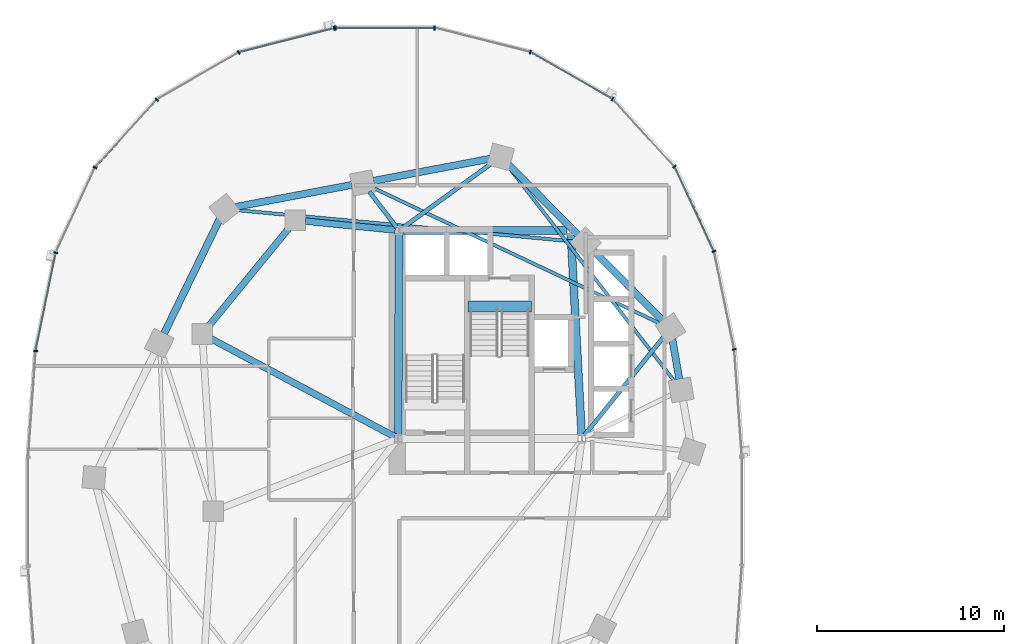
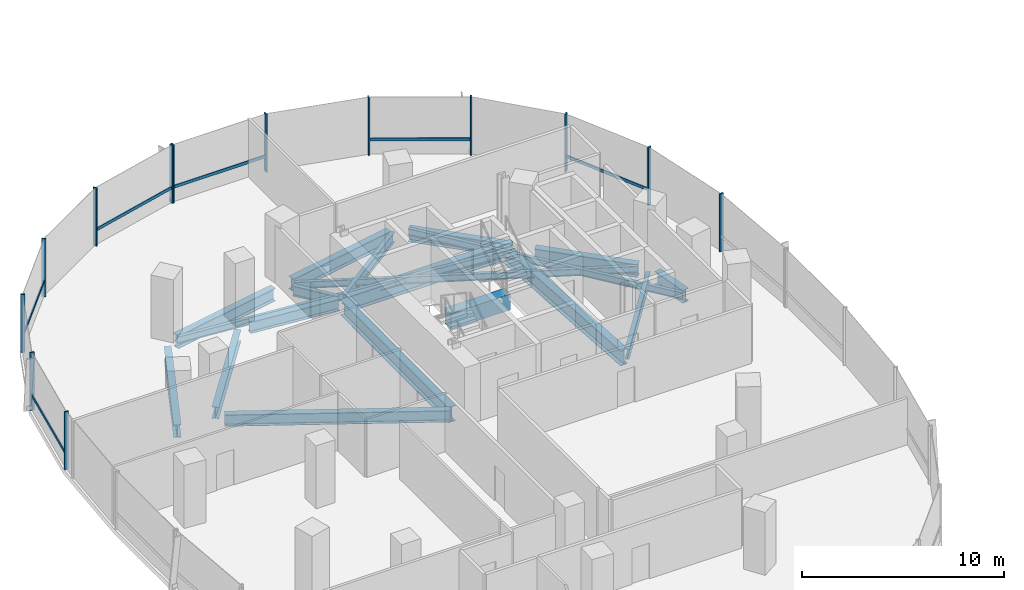
# One storey, part 4 of 21: 19 beams, 19 members, 2 elements without a shape of their own.
"""IFC4 building model written with IfcOpenShell, lengths in metres."""

from ifc_helpers import new_model, si_unit, direction, frame, origin, origin_2d, place, context, subcontext, project, spatial, rectangle, i_section, extrude, material, material_profile, profile_set, type_object, element, aggregate, save


model = new_model("IFC4")

# Units and contexts
model_context = context("Model", 3, precision=1e-05, world=origin(), true_north=direction((0.0, 1.0)))
body_context = subcontext(model_context, "Body", "Model", "MODEL_VIEW")
ifc_project = project(units=[si_unit("LENGTHUNIT", "METRE"), si_unit("AREAUNIT", "SQUARE_METRE"), si_unit("VOLUMEUNIT", "CUBIC_METRE"), si_unit("PLANEANGLEUNIT", "RADIAN"), si_unit("MASSUNIT", "GRAM", prefix="KILO"), si_unit("THERMODYNAMICTEMPERATUREUNIT", "KELVIN"), si_unit("POWERUNIT", "WATT")], contexts=[model_context])

# Site, building, storey
site_placement = place(None, origin())
site = spatial("IfcSite", under=ifc_project, at=site_placement, CompositionType="ELEMENT")
building_placement = place(site_placement, origin())
building = spatial("IfcBuilding", under=site, at=building_placement, Name="Cundina Bronze Exchange", CompositionType="ELEMENT")
storey_placement = place(building_placement, frame((0.0, 0.0, 54.39990234375)))
storey = spatial("IfcBuildingStorey", under=building, at=storey_placement, Name="L13", CompositionType="ELEMENT", Elevation=54.39990234375)

# Beams
ifc_material_1 = material(Name="Concrete C60/75", Category="concrete")
ifc_material_profile_1 = material_profile(ifc_material_1, rectangle(XDim=0.60009765625, YDim=0.949951171875, at=origin_2d()), Name="RC600X950", Category="concrete")
ifc_profile_set_1 = profile_set([ifc_material_profile_1], Name="Concrete C60/75")
beam_type_1 = type_object("IfcBeamType", Name="BM-COUP-RC950", PredefinedType="LINTEL", material=ifc_profile_set_1)
beam_1_placement = place(storey_placement, frame((-27.56005859375, 10.97998046875, -0.474853515625), z_axis=(1.0, 0.0, 0.0), x_axis=(0.0, 1.0, 0.0)))
element("IfcBeam", 1, at=beam_1_placement, inside=storey, type_object=beam_type_1, Name="L13 Stair W2 Landing Header Beam", PredefinedType="LINTEL", context=body_context, shape_type="SweptSolid", body=[
    extrude(rectangle(XDim=0.60009765625, YDim=0.949951171875, at=origin_2d()), origin(), (0.0, 0.0, 1.0), 3.400146484375),
])
ifc_material_2 = material(Name="Steel ASTM A992 Grade 50", Category="steel")
ifc_material_profile_2 = material_profile(ifc_material_2, i_section(OverallWidth=0.22998046875, OverallDepth=0.616943359375, WebThickness=0.01318359375, FlangeThickness=0.022216796875, FilletRadius=0.013916015625, at=origin_2d()), Name="W24X94", Category="steel")
ifc_profile_set_2 = profile_set([ifc_material_profile_2], Name="Steel ASTM A992 Grade 50")
beam_type_2 = type_object("IfcBeamType", Name="BM-FLR-W24B", PredefinedType="BEAM", material=ifc_profile_set_2)
beam_2_placement = place(storey_placement, frame((-21.322021484375, 4.058837890625, -0.6083984375), z_axis=(0.627106366175, 0.778933633568, 0.0), x_axis=(-0.778933633568, 0.627106366175, 0.0)))
element("IfcBeam", 2, at=beam_2_placement, inside=storey, type_object=beam_type_2, Name="L13 Leg W Radial Floor Beam 02", PredefinedType="BEAM", context=body_context, shape_type="SweptSolid", body=[
    extrude(i_section(OverallWidth=0.22998046875, OverallDepth=0.616943359375, WebThickness=0.01318359375, FlangeThickness=0.022216796875, FilletRadius=0.013916015625, at=origin_2d()), origin(), (0.0, 0.0, 1.0), 6.78271484375),
])
beam_3_placement = place(storey_placement, frame((-31.084716796875, 15.169677734375, -0.6083984375), z_axis=(0.809700299677, 0.586843611794, 0.0), x_axis=(-0.586843611794, 0.809700299677, 0.0)))
element("IfcBeam", 3, at=beam_3_placement, inside=storey, type_object=beam_type_2, Name="L13 Leg W Radial Floor Beam 04", PredefinedType="BEAM", context=body_context, shape_type="SweptSolid", body=[
    extrude(i_section(OverallWidth=0.22998046875, OverallDepth=0.616943359375, WebThickness=0.01318359375, FlangeThickness=0.022216796875, FilletRadius=0.013916015625, at=origin_2d()), origin(), (0.0, 0.0, 1.0), 5.938720703125),
])
beam_4_placement = place(storey_placement, frame((-31.373779296875, 15.2119140625, -0.6083984375), z_axis=(-0.607468844289, 0.794343504548, 0.0), x_axis=(-0.794343504548, -0.607468844289, 0.0)))
element("IfcBeam", 4, at=beam_4_placement, inside=storey, type_object=beam_type_2, Name="L13 Leg W Radial Floor Beam 05", PredefinedType="BEAM", context=body_context, shape_type="SweptSolid", body=[
    extrude(i_section(OverallWidth=0.22998046875, OverallDepth=0.616943359375, WebThickness=0.01318359375, FlangeThickness=0.022216796875, FilletRadius=0.013916015625, at=origin_2d()), origin(), (0.0, 0.0, 1.0), 2.418212890625),
])
ifc_material_profile_3 = material_profile(ifc_material_2, i_section(OverallWidth=0.178955078125, OverallDepth=0.409912109375, WebThickness=0.0087890625, FlangeThickness=0.014404296875, FilletRadius=0.010986328125, at=origin_2d()), Name="W16X45", Category="steel")
ifc_profile_set_3 = profile_set([ifc_material_profile_3], Name="Steel ASTM A992 Grade 50")
beam_type_3 = type_object("IfcBeamType", Name="BM-JST-W16", PredefinedType="JOIST", material=ifc_profile_set_3)
beam_5_placement = place(storey_placement, frame((-16.48486328125, 6.965087890625, -0.5048828125), z_axis=(-0.612089386305, 0.790788583108, 0.0), x_axis=(-0.790788583108, -0.612089386305, 0.0)))
element("IfcBeam", 5, at=beam_5_placement, inside=storey, type_object=beam_type_3, Name="L13 Leg W Lobe Floor Joist 01-04", PredefinedType="JOIST", context=body_context, shape_type="SweptSolid", body=[
    extrude(i_section(OverallWidth=0.178955078125, OverallDepth=0.409912109375, WebThickness=0.0087890625, FlangeThickness=0.014404296875, FilletRadius=0.010986328125, at=origin_2d()), origin(), (0.0, 0.0, 1.0), 14.630859375),
])
beam_6_placement = place(storey_placement, frame((-17.231689453125, 10.05126953125, -0.5048828125), z_axis=(-0.904072668297, 0.427378766949, 0.0), x_axis=(-0.427378766949, -0.904072668297, 0.0)))
element("IfcBeam", 6, at=beam_6_placement, inside=storey, type_object=beam_type_3, Name="L13 Leg W Lobe Floor Joist 02-05", PredefinedType="JOIST", context=body_context, shape_type="SweptSolid", body=[
    extrude(i_section(OverallWidth=0.178955078125, OverallDepth=0.409912109375, WebThickness=0.0087890625, FlangeThickness=0.014404296875, FilletRadius=0.010986328125, at=origin_2d()), origin(), (0.0, 0.0, 1.0), 17.07470703125),
])
beam_7_placement = place(storey_placement, frame((-21.83544921875, 14.45458984375, -0.5048828125), z_axis=(-0.995701961644, 0.09261535282, 0.0), x_axis=(-0.09261535282, -0.995701961644, 0.0)))
element("IfcBeam", 7, at=beam_7_placement, inside=storey, type_object=beam_type_3, Name="L13 Leg W Lobe Floor Joist 03-06", PredefinedType="JOIST", context=body_context, shape_type="SweptSolid", body=[
    extrude(i_section(OverallWidth=0.178955078125, OverallDepth=0.409912109375, WebThickness=0.0087890625, FlangeThickness=0.014404296875, FilletRadius=0.010986328125, at=origin_2d()), origin(), (0.0, 0.0, 1.0), 18.25732421875),
])
ifc_material_profile_4 = material_profile(ifc_material_2, i_section(OverallWidth=0.35498046875, OverallDepth=0.695068359375, WebThickness=0.015380859375, FlangeThickness=0.02490234375, FilletRadius=0.01806640625, at=origin_2d()), Name="W27X146", Category="steel")
ifc_profile_set_4 = profile_set([ifc_material_profile_4], Name="Steel ASTM A992 Grade 50")
beam_type_4 = type_object("IfcBeamType", Name="BM-RING-W27", PredefinedType="USERDEFINED", material=ifc_profile_set_4)
beam_8_placement = place(storey_placement, frame((-31.452880859375, 15.070068359375, -0.6474609375), z_axis=(-0.995126271817, 0.098608839051, 0.0), x_axis=(-0.098608839051, -0.995126271817, 0.0)))
element("IfcBeam", 8, at=beam_8_placement, inside=storey, type_object=beam_type_4, Name="L13 W Inner Structural Ring Girder 01", ObjectType="GIRDER", PredefinedType="USERDEFINED", context=body_context, shape_type="SweptSolid", body=[
    extrude(i_section(OverallWidth=0.35498046875, OverallDepth=0.695068359375, WebThickness=0.015380859375, FlangeThickness=0.02490234375, FilletRadius=0.01806640625, at=origin_2d()), origin(), (0.0, 0.0, 1.0), 4.83544921875),
])
beam_9_placement = place(storey_placement, frame((-37.14111328125, 15.183837890625, -0.6474609375), z_axis=(-0.633926549035, -0.773393257295, 0.0), x_axis=(0.773393257295, -0.633926549035, 0.0)))
element("IfcBeam", 9, at=beam_9_placement, inside=storey, type_object=beam_type_4, Name="L13 W Inner Structural Ring Girder 02", ObjectType="GIRDER", PredefinedType="USERDEFINED", context=body_context, shape_type="SweptSolid", body=[
    extrude(i_section(OverallWidth=0.35498046875, OverallDepth=0.695068359375, WebThickness=0.015380859375, FlangeThickness=0.02490234375, FilletRadius=0.01806640625, at=origin_2d()), origin(), (0.0, 0.0, 1.0), 6.811279296875),
])
beam_10_placement = place(storey_placement, frame((-31.47998046875, 3.99609375, -0.6474609375), z_axis=(-0.882354758239, 0.470584828286, 0.0), x_axis=(-0.470584828286, -0.882354758239, 0.0)))
element("IfcBeam", 10, at=beam_10_placement, inside=storey, type_object=beam_type_4, Name="L13 W Core-to-Waist Tie Beam 2", ObjectType="GIRDER", PredefinedType="USERDEFINED", context=body_context, shape_type="SweptSolid", body=[
    extrude(i_section(OverallWidth=0.35498046875, OverallDepth=0.695068359375, WebThickness=0.015380859375, FlangeThickness=0.02490234375, FilletRadius=0.01806640625, at=origin_2d()), origin(), (0.0, 0.0, 1.0), 11.157958984375),
])
ifc_material_profile_5 = material_profile(ifc_material_2, i_section(OverallWidth=0.381103515625, OverallDepth=0.77294921875, WebThickness=0.0166015625, FlangeThickness=0.027099609375, FilletRadius=0.01904296875, at=origin_2d()), Name="W30X173", Category="steel")
ifc_profile_set_5 = profile_set([ifc_material_profile_5], Name="Steel ASTM A992 Grade 50")
beam_type_5 = type_object("IfcBeamType", Name="BM-RING-W30", PredefinedType="USERDEFINED", material=ifc_profile_set_5)
beam_11_placement = place(storey_placement, frame((-16.225830078125, 7.079345703125, -0.6865234375), z_axis=(-0.171734584051, 0.985143254883, 0.0), x_axis=(-0.985143254883, -0.171734584051, 0.0)))
element("IfcBeam", 11, at=beam_11_placement, inside=storey, type_object=beam_type_5, Name="L13 W Perimeter Ring Girder 01", ObjectType="GIRDER", PredefinedType="USERDEFINED", context=body_context, shape_type="SweptSolid", body=[
    extrude(i_section(OverallWidth=0.381103515625, OverallDepth=0.77294921875, WebThickness=0.0166015625, FlangeThickness=0.027099609375, FilletRadius=0.01904296875, at=origin_2d()), origin(), (0.0, 0.0, 1.0), 2.173583984375),
])
for number, where, z_axis, x_axis, name in (
    (12, (-17.113525390625, 10.218017578125, -0.6865234375), (-0.703222428859, 0.710969911845, 0.0), (-0.710969911845, -0.703222428859, 0.0), "L13 W Perimeter Ring Girder 02"),
    (13, (-21.66357421875, 14.818115234375, -0.6865234375), (-0.703222428859, 0.710969911845, 0.0), (-0.710969911845, -0.703222428859, 0.0), "L13 W Perimeter Ring Girder 03"),
):
    element("IfcBeam", number, at=place(storey_placement, frame(where, z_axis=z_axis, x_axis=x_axis)), inside=storey, type_object=beam_type_5, Name=name, ObjectType="GIRDER", PredefinedType="USERDEFINED", context=body_context, shape_type="SweptSolid", body=[
        extrude(i_section(OverallWidth=0.381103515625, OverallDepth=0.77294921875, WebThickness=0.0166015625, FlangeThickness=0.027099609375, FilletRadius=0.01904296875, at=origin_2d()), origin(), (0.0, 0.0, 1.0), 5.2939453125),
    ])
beam_12_placement = place(storey_placement, frame((-26.377685546875, 18.890625, -0.6865234375), z_axis=(-0.982570814598, -0.185888661031, 0.0), x_axis=(0.185888661031, -0.982570814598, 0.0)))
element("IfcBeam", 14, at=beam_12_placement, inside=storey, type_object=beam_type_5, Name="L13 W Perimeter Ring Girder 04", ObjectType="GIRDER", PredefinedType="USERDEFINED", context=body_context, shape_type="SweptSolid", body=[
    extrude(i_section(OverallWidth=0.381103515625, OverallDepth=0.77294921875, WebThickness=0.0166015625, FlangeThickness=0.027099609375, FilletRadius=0.01904296875, at=origin_2d()), origin(), (0.0, 0.0, 1.0), 6.35546875),
])
beam_13_placement = place(storey_placement, frame((-33.77783203125, 17.49072265625, -0.6865234375), z_axis=(-0.982569487119, -0.185895677686, 0.0), x_axis=(0.185895677686, -0.982569487119, 0.0)))
element("IfcBeam", 15, at=beam_13_placement, inside=storey, type_object=beam_type_5, Name="L13 W Perimeter Ring Girder 05", ObjectType="GIRDER", PredefinedType="USERDEFINED", context=body_context, shape_type="SweptSolid", body=[
    extrude(i_section(OverallWidth=0.381103515625, OverallDepth=0.77294921875, WebThickness=0.0166015625, FlangeThickness=0.027099609375, FilletRadius=0.01904296875, at=origin_2d()), origin(), (0.0, 0.0, 1.0), 6.355224609375),
])
beam_14_placement = place(storey_placement, frame((-40.857177734375, 15.671142578125, -0.6865234375), z_axis=(-0.437190698904, -0.899368830231, 0.0), x_axis=(0.899368830231, -0.437190698904, 0.0)))
element("IfcBeam", 16, at=beam_14_placement, inside=storey, type_object=beam_type_5, Name="L13 W Perimeter Ring Girder 06", ObjectType="GIRDER", PredefinedType="USERDEFINED", context=body_context, shape_type="SweptSolid", body=[
    extrude(i_section(OverallWidth=0.381103515625, OverallDepth=0.77294921875, WebThickness=0.0166015625, FlangeThickness=0.027099609375, FilletRadius=0.01904296875, at=origin_2d()), origin(), (0.0, 0.0, 1.0), 6.82958984375),
])
ifc_material_profile_6 = material_profile(ifc_material_2, i_section(OverallWidth=0.41796875, OverallDepth=0.927001953125, WebThickness=0.019287109375, FlangeThickness=0.031982421875, FilletRadius=0.02392578125, at=origin_2d()), Name="W36X231", Category="steel")
ifc_profile_set_6 = profile_set([ifc_material_profile_6], Name="Steel ASTM A992 Grade 50")
beam_type_6 = type_object("IfcBeamType", Name="BM-WRN-W36B", PredefinedType="USERDEFINED", material=ifc_profile_set_6)
beam_15_placement = place(storey_placement, frame((-21.4609375, 4.103759765625, -0.763427734375), z_axis=(-0.053739193498, 0.998555005537, 0.0), x_axis=(-0.998555005537, -0.053739193498, 0.0)))
element("IfcBeam", 17, at=beam_15_placement, inside=storey, type_object=beam_type_6, Name="L13 W Core Perimeter Tie Girder 2", ObjectType="GIRDER", PredefinedType="USERDEFINED", context=body_context, shape_type="SweptSolid", body=[
    extrude(i_section(OverallWidth=0.41796875, OverallDepth=0.927001953125, WebThickness=0.019287109375, FlangeThickness=0.031982421875, FilletRadius=0.02392578125, at=origin_2d()), origin(), (0.0, 0.0, 1.0), 10.758056640625),
])
beam_16_placement = place(storey_placement, frame((-22.25390625, 15.050048828125, -0.763427734375), z_axis=(-1.0, 0.0, 0.0), x_axis=(0.0, -1.0, 0.0)))
element("IfcBeam", 18, at=beam_16_placement, inside=storey, type_object=beam_type_6, Name="L13 W Core Perimeter Tie Girder 3", ObjectType="GIRDER", PredefinedType="USERDEFINED", context=body_context, shape_type="SweptSolid", body=[
    extrude(i_section(OverallWidth=0.41796875, OverallDepth=0.927001953125, WebThickness=0.019287109375, FlangeThickness=0.031982421875, FilletRadius=0.02392578125, at=origin_2d()), origin(), (0.0, 0.0, 1.0), 8.7919921875),
])
beam_17_placement = place(storey_placement, frame((-31.2509765625, 14.845947265625, -0.763427734375), z_axis=(-0.004477329608, -0.99998997671, 0.0), x_axis=(0.99998997671, -0.004477329608, 0.0)))
element("IfcBeam", 19, at=beam_17_placement, inside=storey, type_object=beam_type_6, Name="L13 W Core Perimeter Tie Girder 4", ObjectType="GIRDER", PredefinedType="USERDEFINED", context=body_context, shape_type="SweptSolid", body=[
    extrude(i_section(OverallWidth=0.41796875, OverallDepth=0.927001953125, WebThickness=0.019287109375, FlangeThickness=0.031982421875, FilletRadius=0.02392578125, at=origin_2d()), origin(), (0.0, 0.0, 1.0), 10.741943359375),
])

# Curtain wall, members
ifc_material_3 = material(Name="Anodised Bronze Aluminium 6063-T6", Category="aluminium")
curtain_wall_type = type_object("IfcCurtainWallType", Name="CWS-TRD-LOW", PredefinedType="NOTDEFINED", material=ifc_material_3)
curtain_wall_1_placement = place(storey_placement, origin())
curtain_wall_1 = element("IfcCurtainWall", 20, at=curtain_wall_1_placement, inside=storey, type_object=curtain_wall_type, Name="L13 CW-02 Curtain Wall Run CWR-L13-W1", PredefinedType="NOTDEFINED")
ifc_material_profile_7 = material_profile(ifc_material_3, rectangle(XDim=0.074951171875, YDim=0.219970703125, at=origin_2d()), Name="AL75X220", Category="aluminium")
ifc_profile_set_7 = profile_set([ifc_material_profile_7], Name="Anodised Bronze Aluminium 6063-T6")
member_type_1 = type_object("IfcMemberType", Name="CWM-MUL-220", PredefinedType="MULLION", material=ifc_profile_set_7)
member_1_placement = place(storey_placement, frame((-13.282958984375, 8.67822265625, 0.0), z_axis=(0.0, 0.0, 1.0), x_axis=(-0.201419845156, 0.979505000486, 0.0)))
member_1 = element("IfcMember", 21, at=member_1_placement, type_object=member_type_1, Name="CW-02 Mullion 2", PredefinedType="MULLION", context=body_context, shape_type="SweptSolid", body=[
    extrude(rectangle(XDim=0.074951171875, YDim=0.219970703125, at=origin_2d()), origin(), (0.0, 0.0, 1.0), 3.5),
])
member_2_placement = place(storey_placement, frame((-14.3720703125, 13.931884765625, 0.0), z_axis=(0.0, 0.0, 1.0), x_axis=(-0.42087749791, 0.907117485088, 0.0)))
member_2 = element("IfcMember", 22, at=member_2_placement, type_object=member_type_1, Name="CW-02 Mullion 3", PredefinedType="MULLION", context=body_context, shape_type="SweptSolid", body=[
    extrude(rectangle(XDim=0.074951171875, YDim=0.219970703125, at=origin_2d()), origin(), (0.0, 0.0, 1.0), 3.5),
])
member_3_placement = place(storey_placement, frame((-16.491455078125, 18.47705078125, 0.0), z_axis=(0.0, 0.0, 1.0), x_axis=(-0.674302387584, 0.738455340626, 0.0)))
member_3 = element("IfcMember", 23, at=member_3_placement, type_object=member_type_1, Name="CW-02 Mullion 4", PredefinedType="MULLION", context=body_context, shape_type="SweptSolid", body=[
    extrude(rectangle(XDim=0.074951171875, YDim=0.219970703125, at=origin_2d()), origin(), (0.0, 0.0, 1.0), 3.5),
])
member_4_placement = place(storey_placement, frame((-19.810302734375, 22.097412109375, 0.0), z_axis=(0.0, 0.0, 1.0), x_axis=(-0.867070701164, 0.498185105339, 0.0)))
member_4 = element("IfcMember", 24, at=member_4_placement, type_object=member_type_1, Name="CW-02 Mullion 5", PredefinedType="MULLION", context=body_context, shape_type="SweptSolid", body=[
    extrude(rectangle(XDim=0.074951171875, YDim=0.219970703125, at=origin_2d()), origin(), (0.0, 0.0, 1.0), 3.5),
])
member_5_placement = place(storey_placement, frame((-24.21484375, 24.61669921875, 0.0), z_axis=(0.0, 0.0, 1.0), x_axis=(-0.969488149345, 0.245138182011, 0.0)))
member_5 = element("IfcMember", 25, at=member_5_placement, type_object=member_type_1, Name="CW-02 Mullion 6", PredefinedType="MULLION", context=body_context, shape_type="SweptSolid", body=[
    extrude(rectangle(XDim=0.074951171875, YDim=0.219970703125, at=origin_2d()), origin(), (0.0, 0.0, 1.0), 3.5),
])
member_6_placement = place(storey_placement, frame((-29.345458984375, 25.905029296875, 0.0), z_axis=(0.0, 0.0, 1.0), x_axis=(-1.0, 0.0, 0.0)))
member_6 = element("IfcMember", 26, at=member_6_placement, type_object=member_type_1, Name="CW-02 Mullion 7", PredefinedType="MULLION", context=body_context, shape_type="SweptSolid", body=[
    extrude(rectangle(XDim=0.074951171875, YDim=0.219970703125, at=origin_2d()), origin(), (0.0, 0.0, 1.0), 3.5),
])
member_7_placement = place(storey_placement, frame((-34.654541015625, 25.905029296875, 0.0), z_axis=(0.0, 0.0, 1.0), x_axis=(-1.0, 0.0, 0.0)))
member_7 = element("IfcMember", 27, at=member_7_placement, type_object=member_type_1, Name="CW-02 End Mullion", PredefinedType="MULLION", context=body_context, shape_type="SweptSolid", body=[
    extrude(rectangle(XDim=0.074951171875, YDim=0.219970703125, at=origin_2d()), origin(), (0.0, 0.0, 1.0), 3.5),
])

curtain_wall_2_placement = place(storey_placement, origin())
curtain_wall_2 = element("IfcCurtainWall", 28, at=curtain_wall_2_placement, inside=storey, type_object=curtain_wall_type, Name="L13 CW-02 Curtain Wall Run CWR-L13-W2", PredefinedType="NOTDEFINED")
member_8_placement = place(storey_placement, frame((-34.72607421875, 25.89599609375, 0.0), z_axis=(0.0, 0.0, 1.0), x_axis=(-0.969488149345, -0.245138182011, 0.0)))
member_8 = element("IfcMember", 29, at=member_8_placement, type_object=member_type_1, Name="CW-02 Mullion 1", PredefinedType="MULLION", context=body_context, shape_type="SweptSolid", body=[
    extrude(rectangle(XDim=0.074951171875, YDim=0.219970703125, at=origin_2d()), origin(), (0.0, 0.0, 1.0), 3.5),
])
member_9_placement = place(storey_placement, frame((-39.848876953125, 24.591064453125, 0.0), z_axis=(0.0, 0.0, 1.0), x_axis=(-0.867070701164, -0.498185105339, 0.0)))
member_9 = element("IfcMember", 30, at=member_9_placement, type_object=member_type_1, Name="CW-02 Mullion 2", PredefinedType="MULLION", context=body_context, shape_type="SweptSolid", body=[
    extrude(rectangle(XDim=0.074951171875, YDim=0.219970703125, at=origin_2d()), origin(), (0.0, 0.0, 1.0), 3.5),
])
member_10_placement = place(storey_placement, frame((-44.239501953125, 22.0576171875, 0.0), z_axis=(0.0, 0.0, 1.0), x_axis=(-0.674302387584, -0.738455340626, 0.0)))
member_10 = element("IfcMember", 31, at=member_10_placement, type_object=member_type_1, Name="CW-02 Mullion 3", PredefinedType="MULLION", context=body_context, shape_type="SweptSolid", body=[
    extrude(rectangle(XDim=0.074951171875, YDim=0.219970703125, at=origin_2d()), origin(), (0.0, 0.0, 1.0), 3.5),
])
member_11_placement = place(storey_placement, frame((-47.544189453125, 18.423583984375, 0.0), z_axis=(0.0, 0.0, 1.0), x_axis=(-0.42087749791, -0.907117485088, 0.0)))
member_11 = element("IfcMember", 32, at=member_11_placement, type_object=member_type_1, Name="CW-02 Mullion 4", PredefinedType="MULLION", context=body_context, shape_type="SweptSolid", body=[
    extrude(rectangle(XDim=0.074951171875, YDim=0.219970703125, at=origin_2d()), origin(), (0.0, 0.0, 1.0), 3.5),
])
member_12_placement = place(storey_placement, frame((-49.651123046875, 13.861328125, 0.0), z_axis=(0.0, 0.0, 1.0), x_axis=(-0.201419845156, -0.979505000486, 0.0)))
member_12 = element("IfcMember", 33, at=member_12_placement, type_object=member_type_1, Name="CW-02 Mullion 5", PredefinedType="MULLION", context=body_context, shape_type="SweptSolid", body=[
    extrude(rectangle(XDim=0.074951171875, YDim=0.219970703125, at=origin_2d()), origin(), (0.0, 0.0, 1.0), 3.5),
])
member_13_placement = place(storey_placement, frame((-50.72900390625, 8.591552734375, 0.0), z_axis=(0.0, 0.0, 1.0), x_axis=(-0.070278787473, -0.997527389113, 0.0)))
member_13 = element("IfcMember", 34, at=member_13_placement, type_object=member_type_1, Name="CW-02 Mullion 6", PredefinedType="MULLION", context=body_context, shape_type="SweptSolid", body=[
    extrude(rectangle(XDim=0.074951171875, YDim=0.219970703125, at=origin_2d()), origin(), (0.0, 0.0, 1.0), 3.5),
])

# Member
ifc_material_profile_8 = material_profile(ifc_material_3, rectangle(XDim=0.070068359375, YDim=0.179931640625, at=origin_2d()), Name="AL70X180", Category="aluminium")
ifc_profile_set_8 = profile_set([ifc_material_profile_8], Name="Anodised Bronze Aluminium 6063-T6")
member_type_2 = type_object("IfcMemberType", Name="CWM-TRN-180", PredefinedType="USERDEFINED", material=ifc_profile_set_8)
member_14_placement = place(storey_placement, frame((-14.389404296875, 13.96923828125, 0.920166015625), z_axis=(-0.420811422796, 0.907148139195, 0.0), x_axis=(-0.907148139195, -0.420811422796, 0.0)))
member_14 = element("IfcMember", 35, at=member_14_placement, type_object=member_type_2, Name="CW-02 Spandrel Transom 3", ObjectType="TRANSOM", PredefinedType="USERDEFINED", context=body_context, shape_type="SweptSolid", body=[
    extrude(rectangle(XDim=0.070068359375, YDim=0.179931640625, at=origin_2d()), origin(), (0.0, 0.0, 1.0), 4.95166015625),
])

member_15_placement = place(storey_placement, frame((-19.845947265625, 22.117919921875, 0.920166015625), z_axis=(-0.867097475651, 0.498138502546, 0.0), x_axis=(-0.498138502546, -0.867097475651, 0.0)))
member_15 = element("IfcMember", 36, at=member_15_placement, type_object=member_type_2, Name="CW-02 Spandrel Transom 5", ObjectType="TRANSOM", PredefinedType="USERDEFINED", context=body_context, shape_type="SweptSolid", body=[
    extrude(rectangle(XDim=0.070068359375, YDim=0.179931640625, at=origin_2d()), origin(), (0.0, 0.0, 1.0), 5.00634765625),
])

member_16_placement = place(storey_placement, frame((-29.38671875, 25.905029296875, 0.920166015625), z_axis=(-1.0, 0.0, 0.0), x_axis=(0.0, -1.0, 0.0)))
member_16 = element("IfcMember", 37, at=member_16_placement, type_object=member_type_2, Name="CW-02 Spandrel Transom 7", ObjectType="TRANSOM", PredefinedType="USERDEFINED", context=body_context, shape_type="SweptSolid", body=[
    extrude(rectangle(XDim=0.070068359375, YDim=0.179931640625, at=origin_2d()), origin(), (0.0, 0.0, 1.0), 5.2265625),
])

aggregate(curtain_wall_1, [member_1, member_2, member_14, member_3, member_4, member_15, member_5, member_6, member_7, member_16])

member_17_placement = place(storey_placement, frame((-34.76611328125, 25.885986328125, 0.920166015625), z_axis=(-0.969483968866, -0.245154714644, 0.0), x_axis=(0.245154714644, -0.969483968866, 0.0)))
member_17 = element("IfcMember", 38, at=member_17_placement, type_object=member_type_2, Name="CW-02 Spandrel Transom 1", ObjectType="TRANSOM", PredefinedType="USERDEFINED", context=body_context, shape_type="SweptSolid", body=[
    extrude(rectangle(XDim=0.070068359375, YDim=0.179931640625, at=origin_2d()), origin(), (0.0, 0.0, 1.0), 5.21826171875),
])

member_18_placement = place(storey_placement, frame((-44.26708984375, 22.027099609375, 0.920166015625), z_axis=(-0.674302794847, -0.738454968743, 0.0), x_axis=(0.738454968743, -0.674302794847, 0.0)))
member_18 = element("IfcMember", 39, at=member_18_placement, type_object=member_type_2, Name="CW-02 Spandrel Transom 3", ObjectType="TRANSOM", PredefinedType="USERDEFINED", context=body_context, shape_type="SweptSolid", body=[
    extrude(rectangle(XDim=0.070068359375, YDim=0.179931640625, at=origin_2d()), origin(), (0.0, 0.0, 1.0), 4.848388671875),
])

member_19_placement = place(storey_placement, frame((-49.659423828125, 13.821044921875, 0.920166015625), z_axis=(-0.201427712708, -0.979503382615, 0.0), x_axis=(0.979503382615, -0.201427712708, 0.0)))
member_19 = element("IfcMember", 40, at=member_19_placement, type_object=member_type_2, Name="CW-02 Spandrel Transom 5", ObjectType="TRANSOM", PredefinedType="USERDEFINED", context=body_context, shape_type="SweptSolid", body=[
    extrude(rectangle(XDim=0.070068359375, YDim=0.179931640625, at=origin_2d()), origin(), (0.0, 0.0, 1.0), 5.291748046875),
])

aggregate(curtain_wall_2, [member_8, member_17, member_9, member_10, member_18, member_11, member_12, member_19, member_13])

save(model, "model.ifc")
